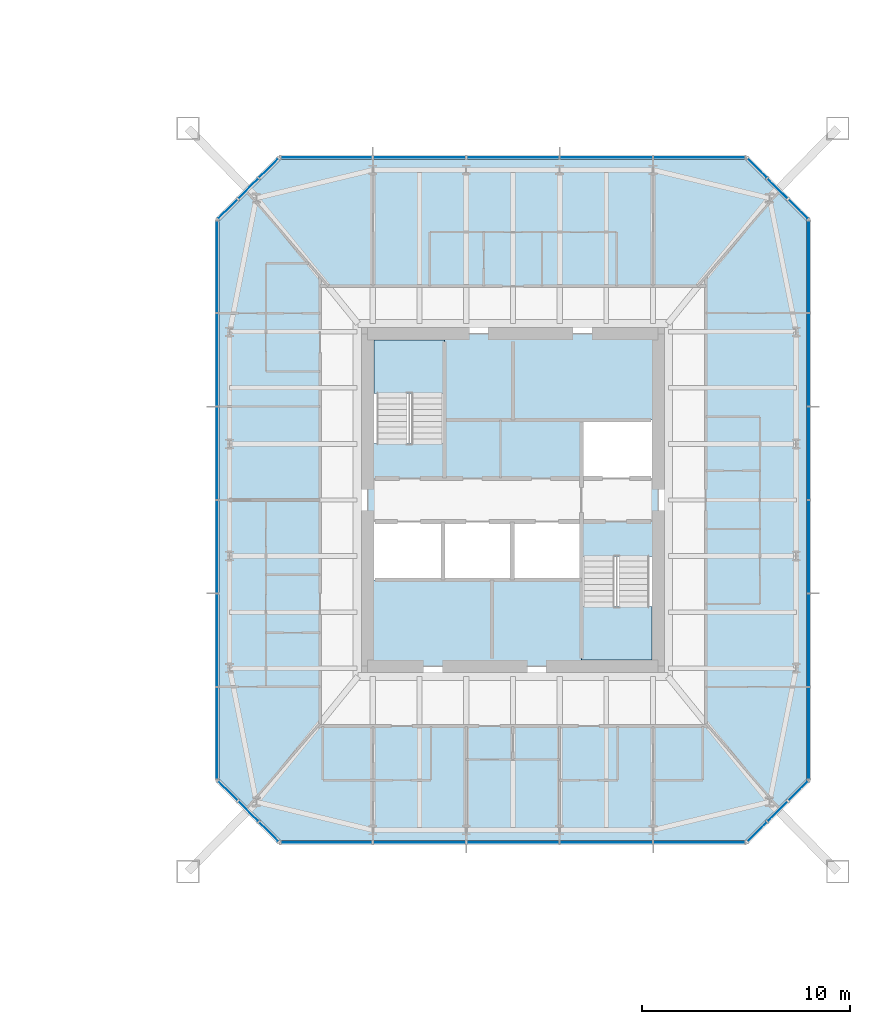
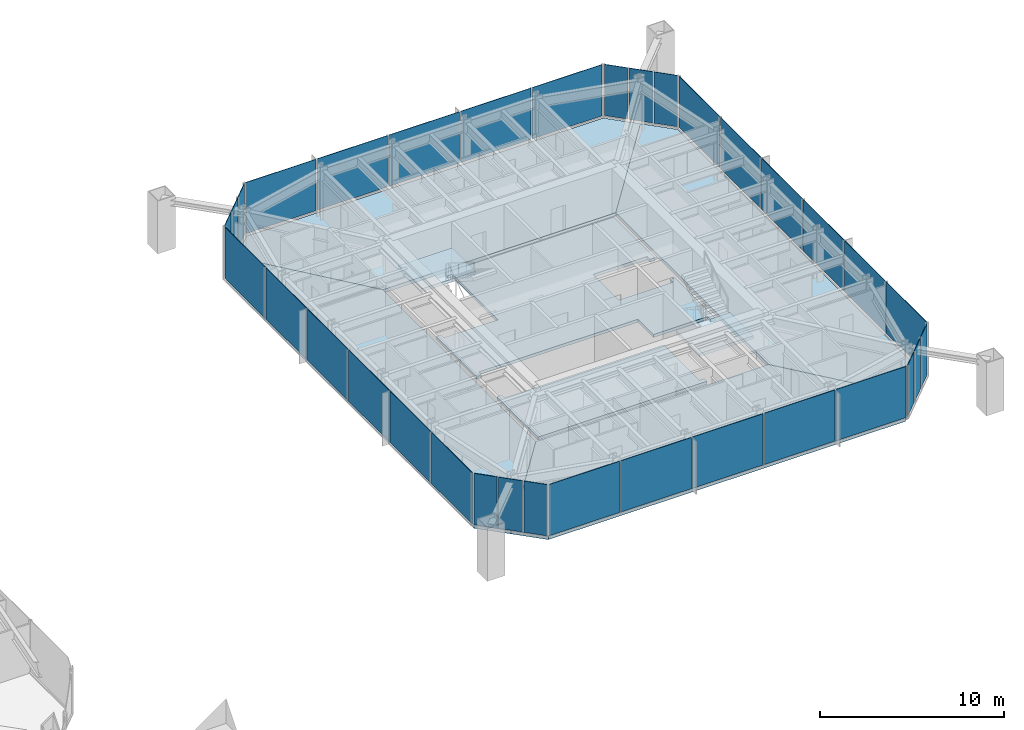
# One storey, part 12 of 25: 34 plates, 8 slabs, 10 elements without a shape of their own.
"""IFC4 building model written with IfcOpenShell, lengths in metres."""

from ifc_helpers import new_model, si_unit, direction, frame, origin, origin_2d, place, context, subcontext, project, spatial, polyline, rectangle, outline, extrude, material, layer, layer_set, constituent, constituent_set, type_object, element, aggregate, save


model = new_model("IFC4")

# Units and contexts
model_context = context("Model", 3, precision=1e-05, world=origin(), true_north=direction((0.0, 1.0)))
body_context = subcontext(model_context, "Body", "Model", "MODEL_VIEW")
ifc_project = project(units=[si_unit("LENGTHUNIT", "METRE"), si_unit("AREAUNIT", "SQUARE_METRE"), si_unit("VOLUMEUNIT", "CUBIC_METRE"), si_unit("PLANEANGLEUNIT", "RADIAN"), si_unit("MASSUNIT", "GRAM", prefix="KILO")], contexts=[model_context])

# Site, building, storey
site_placement = place(None, origin())
site = spatial("IfcSite", under=ifc_project, at=site_placement, CompositionType="ELEMENT")
building_placement = place(site_placement, origin())
building = spatial("IfcBuilding", under=site, at=building_placement, Name="Iwan Alto Co-Living Towers", CompositionType="ELEMENT")
storey_placement = place(building_placement, frame((0.0, 0.0, 84.0)))
storey = spatial("IfcBuildingStorey", under=building, at=storey_placement, Name="L22", CompositionType="ELEMENT", Elevation=84.0)

# Slabs
ifc_material_1 = material(Name="Concrete f'c 30 MPa", Category="concrete")
ifc_layer_1 = layer(ifc_material_1, 0.199951171875)
ifc_layer_set_1 = layer_set([ifc_layer_1], Name="CORE FLOOR SLAB 200")
slab_type_1 = type_object("IfcSlabType", Name="CORE FLOOR SLAB 200", PredefinedType="FLOOR", material=ifc_layer_set_1)
slab_1_placement = place(storey_placement, frame((0.0, 0.0, -0.199951171875)))
element("IfcSlab", 1, at=slab_1_placement, inside=storey, type_object=slab_type_1, Name="T2 core floor L22", PredefinedType="FLOOR", context=body_context, shape_type="SweptSolid", body=[
    extrude(outline(polyline([(70.0, -3.030029296875), (69.699951171875, -3.030029296875), (69.699951171875, -2.719970703125), (66.300048828125, -2.719970703125), (66.300048828125, -1.050048828125), (62.967041015625, -1.050048828125), (59.633056640625, -1.050048828125), (56.300048828125, -1.050048828125), (56.300048828125, -1.360107421875), (56.0, -1.360107421875), (56.0, 3.030029296875), (56.300048828125, 3.030029296875), (56.300048828125, 2.719970703125), (59.699951171875, 2.719970703125), (59.699951171875, 7.699951171875), (59.389892578125, 7.699951171875), (59.389892578125, 8.0), (70.0, 8.0), (70.0, 3.5400390625), (69.699951171875, 3.5400390625), (69.699951171875, 3.85009765625), (66.300048828125, 3.85009765625), (66.300048828125, 1.050048828125), (69.699951171875, 1.050048828125), (69.699951171875, 1.360107421875), (70.0, 1.360107421875), (70.0, -3.030029296875)])), origin(), (0.0, 0.0, 1.0), 0.199951171875),
])
slab_2_placement = place(storey_placement, frame((0.0, 0.0, -0.199951171875)))
element("IfcSlab", 2, at=slab_2_placement, inside=storey, type_object=slab_type_1, Name="T2 core floor L22", PredefinedType="FLOOR", context=body_context, shape_type="SweptSolid", body=[
    extrude(outline(polyline([(62.967041015625, -3.85009765625), (66.300048828125, -3.85009765625), (66.300048828125, -7.699951171875), (66.610107421875, -7.699951171875), (66.610107421875, -8.0), (56.0, -8.0), (56.0, -3.5400390625), (56.300048828125, -3.5400390625), (56.300048828125, -3.85009765625), (59.633056640625, -3.85009765625), (62.967041015625, -3.85009765625)])), origin(), (0.0, 0.0, 1.0), 0.199951171875),
])

# Curtain wall, plates
ifc_material_2 = material(Name="Bronze aluminium unitised frame", Category="aluminium")
curtain_wall_type_1 = type_object("IfcCurtainWallType", Name="CURTAIN WALL CW-C", PredefinedType="NOTDEFINED", material=ifc_material_2)
curtain_wall_1_placement = place(storey_placement, origin())
curtain_wall_1 = element("IfcCurtainWall", 3, at=curtain_wall_1_placement, inside=storey, type_object=curtain_wall_type_1, Name="T2 curtain wall S L22", PredefinedType="NOTDEFINED")
ifc_material_3 = material(Name="Bronze-tinted insulating glass", Category="glass")
ifc_layer_2 = layer(ifc_material_3, 0.031982421875)
ifc_layer_set_2 = layer_set([ifc_layer_2], Name="CW-C PANEL TINTED IGU 32")
plate_type_1 = type_object("IfcPlateType", Name="CW-C PANEL TINTED IGU 32", PredefinedType="CURTAIN_PANEL", material=ifc_layer_set_2)
plate_1_placement = place(storey_placement, frame((54.02001953125, -16.5, 0.10009765625), z_axis=(0.0, 0.0, 1.0), x_axis=(1.0, 0.0, 0.0)))
plate_1 = element("IfcPlate", 4, at=plate_1_placement, type_object=plate_type_1, Name="CW-C panel 1.1", PredefinedType="CURTAIN_PANEL", context=body_context, shape_type="SweptSolid", body=[
    extrude(rectangle(XDim=4.3798828125, YDim=0.031982421875, at=origin_2d()), origin(), (0.0, 0.0, 1.0), 3.39990234375),
])
plate_2_placement = place(storey_placement, frame((58.5, -16.5, 0.10009765625), z_axis=(0.0, 0.0, 1.0), x_axis=(1.0, 0.0, 0.0)))
plate_2 = element("IfcPlate", 5, at=plate_2_placement, type_object=plate_type_1, Name="CW-C panel 2.1", PredefinedType="CURTAIN_PANEL", context=body_context, shape_type="SweptSolid", body=[
    extrude(rectangle(XDim=4.419921875, YDim=0.031982421875, at=origin_2d()), origin(), (0.0, 0.0, 1.0), 3.39990234375),
])
plate_3_placement = place(storey_placement, frame((63.0, -16.5, 0.10009765625), z_axis=(0.0, 0.0, 1.0), x_axis=(1.0, 0.0, 0.0)))
plate_3 = element("IfcPlate", 6, at=plate_3_placement, type_object=plate_type_1, Name="CW-C panel 3.1", PredefinedType="CURTAIN_PANEL", context=body_context, shape_type="SweptSolid", body=[
    extrude(rectangle(XDim=4.419921875, YDim=0.031982421875, at=origin_2d()), origin(), (0.0, 0.0, 1.0), 3.39990234375),
])
plate_4_placement = place(storey_placement, frame((67.5, -16.5, 0.10009765625), z_axis=(0.0, 0.0, 1.0), x_axis=(1.0, 0.0, 0.0)))
plate_4 = element("IfcPlate", 7, at=plate_4_placement, type_object=plate_type_1, Name="CW-C panel 4.1", PredefinedType="CURTAIN_PANEL", context=body_context, shape_type="SweptSolid", body=[
    extrude(rectangle(XDim=4.419921875, YDim=0.031982421875, at=origin_2d()), origin(), (0.0, 0.0, 1.0), 3.39990234375),
])
plate_5_placement = place(storey_placement, frame((71.97998046875, -16.5, 0.10009765625), z_axis=(0.0, 0.0, 1.0), x_axis=(1.0, 0.0, 0.0)))
plate_5 = element("IfcPlate", 8, at=plate_5_placement, type_object=plate_type_1, Name="CW-C panel 5.1", PredefinedType="CURTAIN_PANEL", context=body_context, shape_type="SweptSolid", body=[
    extrude(rectangle(XDim=4.3798828125, YDim=0.031982421875, at=origin_2d()), origin(), (0.0, 0.0, 1.0), 3.39990234375),
])
aggregate(curtain_wall_1, [plate_1, plate_2, plate_3, plate_4, plate_5])

curtain_wall_2_placement = place(storey_placement, origin())
curtain_wall_2 = element("IfcCurtainWall", 9, at=curtain_wall_2_placement, inside=storey, type_object=curtain_wall_type_1, Name="T2 curtain wall E L22", PredefinedType="NOTDEFINED")
plate_6_placement = place(storey_placement, frame((77.25, -11.22998046875, 0.10009765625), z_axis=(0.0, 0.0, 1.0), x_axis=(0.0, 1.0, 0.0)))
plate_6 = element("IfcPlate", 10, at=plate_6_placement, type_object=plate_type_1, Name="CW-C panel 1.1", PredefinedType="CURTAIN_PANEL", context=body_context, shape_type="SweptSolid", body=[
    extrude(rectangle(XDim=4.3798828125, YDim=0.031982421875, at=origin_2d()), origin(), (0.0, 0.0, 1.0), 3.39990234375),
])
plate_7_placement = place(storey_placement, frame((77.25, -6.75, 0.10009765625), z_axis=(0.0, 0.0, 1.0), x_axis=(0.0, 1.0, 0.0)))
plate_7 = element("IfcPlate", 11, at=plate_7_placement, type_object=plate_type_1, Name="CW-C panel 2.1", PredefinedType="CURTAIN_PANEL", context=body_context, shape_type="SweptSolid", body=[
    extrude(rectangle(XDim=4.419921875, YDim=0.031982421875, at=origin_2d()), origin(), (0.0, 0.0, 1.0), 3.39990234375),
])
plate_8_placement = place(storey_placement, frame((77.25, -2.25, 0.10009765625), z_axis=(0.0, 0.0, 1.0), x_axis=(0.0, 1.0, 0.0)))
plate_8 = element("IfcPlate", 12, at=plate_8_placement, type_object=plate_type_1, Name="CW-C panel 3.1", PredefinedType="CURTAIN_PANEL", context=body_context, shape_type="SweptSolid", body=[
    extrude(rectangle(XDim=4.419921875, YDim=0.031982421875, at=origin_2d()), origin(), (0.0, 0.0, 1.0), 3.39990234375),
])
plate_9_placement = place(storey_placement, frame((77.25, 2.25, 0.10009765625), z_axis=(0.0, 0.0, 1.0), x_axis=(0.0, 1.0, 0.0)))
plate_9 = element("IfcPlate", 13, at=plate_9_placement, type_object=plate_type_1, Name="CW-C panel 4.1", PredefinedType="CURTAIN_PANEL", context=body_context, shape_type="SweptSolid", body=[
    extrude(rectangle(XDim=4.419921875, YDim=0.031982421875, at=origin_2d()), origin(), (0.0, 0.0, 1.0), 3.39990234375),
])
plate_10_placement = place(storey_placement, frame((77.25, 6.75, 0.10009765625), z_axis=(0.0, 0.0, 1.0), x_axis=(0.0, 1.0, 0.0)))
plate_10 = element("IfcPlate", 14, at=plate_10_placement, type_object=plate_type_1, Name="CW-C panel 5.1", PredefinedType="CURTAIN_PANEL", context=body_context, shape_type="SweptSolid", body=[
    extrude(rectangle(XDim=4.419921875, YDim=0.031982421875, at=origin_2d()), origin(), (0.0, 0.0, 1.0), 3.39990234375),
])
plate_11_placement = place(storey_placement, frame((77.25, 11.22998046875, 0.10009765625), z_axis=(0.0, 0.0, 1.0), x_axis=(0.0, 1.0, 0.0)))
plate_11 = element("IfcPlate", 15, at=plate_11_placement, type_object=plate_type_1, Name="CW-C panel 6.1", PredefinedType="CURTAIN_PANEL", context=body_context, shape_type="SweptSolid", body=[
    extrude(rectangle(XDim=4.3798828125, YDim=0.031982421875, at=origin_2d()), origin(), (0.0, 0.0, 1.0), 3.39990234375),
])
aggregate(curtain_wall_2, [plate_6, plate_7, plate_8, plate_9, plate_10, plate_11])

curtain_wall_3_placement = place(storey_placement, origin())
curtain_wall_3 = element("IfcCurtainWall", 16, at=curtain_wall_3_placement, inside=storey, type_object=curtain_wall_type_1, Name="T2 curtain wall N L22", PredefinedType="NOTDEFINED")
plate_12_placement = place(storey_placement, frame((71.97998046875, 16.5, 0.10009765625), z_axis=(0.0, 0.0, 1.0), x_axis=(-1.0, 0.0, 0.0)))
plate_12 = element("IfcPlate", 17, at=plate_12_placement, type_object=plate_type_1, Name="CW-C panel 1.1", PredefinedType="CURTAIN_PANEL", context=body_context, shape_type="SweptSolid", body=[
    extrude(rectangle(XDim=4.3798828125, YDim=0.031982421875, at=origin_2d()), origin(), (0.0, 0.0, 1.0), 3.39990234375),
])
plate_13_placement = place(storey_placement, frame((67.5, 16.5, 0.10009765625), z_axis=(0.0, 0.0, 1.0), x_axis=(-1.0, 0.0, 0.0)))
plate_13 = element("IfcPlate", 18, at=plate_13_placement, type_object=plate_type_1, Name="CW-C panel 2.1", PredefinedType="CURTAIN_PANEL", context=body_context, shape_type="SweptSolid", body=[
    extrude(rectangle(XDim=4.419921875, YDim=0.031982421875, at=origin_2d()), origin(), (0.0, 0.0, 1.0), 3.39990234375),
])
plate_14_placement = place(storey_placement, frame((63.0, 16.5, 0.10009765625), z_axis=(0.0, 0.0, 1.0), x_axis=(-1.0, 0.0, 0.0)))
plate_14 = element("IfcPlate", 19, at=plate_14_placement, type_object=plate_type_1, Name="CW-C panel 3.1", PredefinedType="CURTAIN_PANEL", context=body_context, shape_type="SweptSolid", body=[
    extrude(rectangle(XDim=4.419921875, YDim=0.031982421875, at=origin_2d()), origin(), (0.0, 0.0, 1.0), 3.39990234375),
])
plate_15_placement = place(storey_placement, frame((58.5, 16.5, 0.10009765625), z_axis=(0.0, 0.0, 1.0), x_axis=(-1.0, 0.0, 0.0)))
plate_15 = element("IfcPlate", 20, at=plate_15_placement, type_object=plate_type_1, Name="CW-C panel 4.1", PredefinedType="CURTAIN_PANEL", context=body_context, shape_type="SweptSolid", body=[
    extrude(rectangle(XDim=4.419921875, YDim=0.031982421875, at=origin_2d()), origin(), (0.0, 0.0, 1.0), 3.39990234375),
])
plate_16_placement = place(storey_placement, frame((54.02001953125, 16.5, 0.10009765625), z_axis=(0.0, 0.0, 1.0), x_axis=(-1.0, 0.0, 0.0)))
plate_16 = element("IfcPlate", 21, at=plate_16_placement, type_object=plate_type_1, Name="CW-C panel 5.1", PredefinedType="CURTAIN_PANEL", context=body_context, shape_type="SweptSolid", body=[
    extrude(rectangle(XDim=4.3798828125, YDim=0.031982421875, at=origin_2d()), origin(), (0.0, 0.0, 1.0), 3.39990234375),
])
aggregate(curtain_wall_3, [plate_12, plate_13, plate_14, plate_15, plate_16])

curtain_wall_4_placement = place(storey_placement, origin())
curtain_wall_4 = element("IfcCurtainWall", 22, at=curtain_wall_4_placement, inside=storey, type_object=curtain_wall_type_1, Name="T2 curtain wall W L22", PredefinedType="NOTDEFINED")
plate_17_placement = place(storey_placement, frame((48.75, 11.22998046875, 0.10009765625), z_axis=(0.0, 0.0, 1.0), x_axis=(0.0, -1.0, 0.0)))
plate_17 = element("IfcPlate", 23, at=plate_17_placement, type_object=plate_type_1, Name="CW-C panel 1.1", PredefinedType="CURTAIN_PANEL", context=body_context, shape_type="SweptSolid", body=[
    extrude(rectangle(XDim=4.3798828125, YDim=0.031982421875, at=origin_2d()), origin(), (0.0, 0.0, 1.0), 3.39990234375),
])
plate_18_placement = place(storey_placement, frame((48.75, 6.75, 0.10009765625), z_axis=(0.0, 0.0, 1.0), x_axis=(0.0, -1.0, 0.0)))
plate_18 = element("IfcPlate", 24, at=plate_18_placement, type_object=plate_type_1, Name="CW-C panel 2.1", PredefinedType="CURTAIN_PANEL", context=body_context, shape_type="SweptSolid", body=[
    extrude(rectangle(XDim=4.419921875, YDim=0.031982421875, at=origin_2d()), origin(), (0.0, 0.0, 1.0), 3.39990234375),
])
plate_19_placement = place(storey_placement, frame((48.75, 2.25, 0.10009765625), z_axis=(0.0, 0.0, 1.0), x_axis=(0.0, -1.0, 0.0)))
plate_19 = element("IfcPlate", 25, at=plate_19_placement, type_object=plate_type_1, Name="CW-C panel 3.1", PredefinedType="CURTAIN_PANEL", context=body_context, shape_type="SweptSolid", body=[
    extrude(rectangle(XDim=4.419921875, YDim=0.031982421875, at=origin_2d()), origin(), (0.0, 0.0, 1.0), 3.39990234375),
])
plate_20_placement = place(storey_placement, frame((48.75, -2.25, 0.10009765625), z_axis=(0.0, 0.0, 1.0), x_axis=(0.0, -1.0, 0.0)))
plate_20 = element("IfcPlate", 26, at=plate_20_placement, type_object=plate_type_1, Name="CW-C panel 4.1", PredefinedType="CURTAIN_PANEL", context=body_context, shape_type="SweptSolid", body=[
    extrude(rectangle(XDim=4.419921875, YDim=0.031982421875, at=origin_2d()), origin(), (0.0, 0.0, 1.0), 3.39990234375),
])
plate_21_placement = place(storey_placement, frame((48.75, -6.75, 0.10009765625), z_axis=(0.0, 0.0, 1.0), x_axis=(0.0, -1.0, 0.0)))
plate_21 = element("IfcPlate", 27, at=plate_21_placement, type_object=plate_type_1, Name="CW-C panel 5.1", PredefinedType="CURTAIN_PANEL", context=body_context, shape_type="SweptSolid", body=[
    extrude(rectangle(XDim=4.419921875, YDim=0.031982421875, at=origin_2d()), origin(), (0.0, 0.0, 1.0), 3.39990234375),
])
plate_22_placement = place(storey_placement, frame((48.75, -11.22998046875, 0.10009765625), z_axis=(0.0, 0.0, 1.0), x_axis=(0.0, -1.0, 0.0)))
plate_22 = element("IfcPlate", 28, at=plate_22_placement, type_object=plate_type_1, Name="CW-C panel 6.1", PredefinedType="CURTAIN_PANEL", context=body_context, shape_type="SweptSolid", body=[
    extrude(rectangle(XDim=4.3798828125, YDim=0.031982421875, at=origin_2d()), origin(), (0.0, 0.0, 1.0), 3.39990234375),
])
aggregate(curtain_wall_4, [plate_17, plate_18, plate_19, plate_20, plate_21, plate_22])

ifc_material_4 = material(Name="Bronze aluminium unitised frame", Category="aluminium")
curtain_wall_type_2 = type_object("IfcCurtainWallType", Name="CURTAIN WALL CW-D", PredefinedType="NOTDEFINED", material=ifc_material_4)
curtain_wall_5_placement = place(storey_placement, origin())
curtain_wall_5 = element("IfcCurtainWall", 29, at=curtain_wall_5_placement, inside=storey, type_object=curtain_wall_type_2, Name="T2 chamfer curtain wall SE L22", PredefinedType="NOTDEFINED")
ifc_material_5 = material(Name="Bronze-tinted insulating glass", Category="glass")
ifc_layer_3 = layer(ifc_material_5, 0.031982421875)
ifc_layer_set_3 = layer_set([ifc_layer_3], Name="CW-D PANEL TINTED IGU 32")
plate_type_2 = type_object("IfcPlateType", Name="CW-D PANEL TINTED IGU 32", PredefinedType="CURTAIN_PANEL", material=ifc_layer_set_3)
plate_23_placement = place(storey_placement, frame((74.76416015625, -15.98583984375, 0.10009765625), z_axis=(0.0, 0.0, 1.0), x_axis=(0.707106781187, 0.707106781187, 0.0)))
plate_23 = element("IfcPlate", 30, at=plate_23_placement, type_object=plate_type_2, Name="CW-D panel 1.1", PredefinedType="CURTAIN_PANEL", context=body_context, shape_type="SweptSolid", body=[
    extrude(rectangle(XDim=1.294189453125, YDim=0.031982421875, at=origin_2d()), origin(), (0.0, 0.0, 1.0), 3.39990234375),
])
plate_24_placement = place(storey_placement, frame((75.75, -15.0, 0.10009765625), z_axis=(0.0, 0.0, 1.0), x_axis=(0.707106781187, 0.707106781187, 0.0)))
plate_24 = element("IfcPlate", 31, at=plate_24_placement, type_object=plate_type_2, Name="CW-D panel 2.1", PredefinedType="CURTAIN_PANEL", context=body_context, shape_type="SweptSolid", body=[
    extrude(rectangle(XDim=1.334228515625, YDim=0.031982421875, at=origin_2d()), origin(), (0.0, 0.0, 1.0), 3.39990234375),
])
plate_25_placement = place(storey_placement, frame((76.73583984375, -14.01416015625, 0.10009765625), z_axis=(0.0, 0.0, 1.0), x_axis=(0.707106781187, 0.707106781187, 0.0)))
plate_25 = element("IfcPlate", 32, at=plate_25_placement, type_object=plate_type_2, Name="CW-D panel 3.1", PredefinedType="CURTAIN_PANEL", context=body_context, shape_type="SweptSolid", body=[
    extrude(rectangle(XDim=1.294189453125, YDim=0.031982421875, at=origin_2d()), origin(), (0.0, 0.0, 1.0), 3.39990234375),
])
aggregate(curtain_wall_5, [plate_23, plate_24, plate_25])

curtain_wall_6_placement = place(storey_placement, origin())
curtain_wall_6 = element("IfcCurtainWall", 33, at=curtain_wall_6_placement, inside=storey, type_object=curtain_wall_type_2, Name="T2 chamfer curtain wall NE L22", PredefinedType="NOTDEFINED")
plate_26_placement = place(storey_placement, frame((76.73583984375, 14.01416015625, 0.10009765625), z_axis=(0.0, 0.0, 1.0), x_axis=(-0.707106781187, 0.707106781187, 0.0)))
plate_26 = element("IfcPlate", 34, at=plate_26_placement, type_object=plate_type_2, Name="CW-D panel 1.1", PredefinedType="CURTAIN_PANEL", context=body_context, shape_type="SweptSolid", body=[
    extrude(rectangle(XDim=1.294189453125, YDim=0.031982421875, at=origin_2d()), origin(), (0.0, 0.0, 1.0), 3.39990234375),
])
plate_27_placement = place(storey_placement, frame((75.75, 15.0, 0.10009765625), z_axis=(0.0, 0.0, 1.0), x_axis=(-0.707106781187, 0.707106781187, 0.0)))
plate_27 = element("IfcPlate", 35, at=plate_27_placement, type_object=plate_type_2, Name="CW-D panel 2.1", PredefinedType="CURTAIN_PANEL", context=body_context, shape_type="SweptSolid", body=[
    extrude(rectangle(XDim=1.334228515625, YDim=0.031982421875, at=origin_2d()), origin(), (0.0, 0.0, 1.0), 3.39990234375),
])
plate_28_placement = place(storey_placement, frame((74.76416015625, 15.98583984375, 0.10009765625), z_axis=(0.0, 0.0, 1.0), x_axis=(-0.707106781187, 0.707106781187, 0.0)))
plate_28 = element("IfcPlate", 36, at=plate_28_placement, type_object=plate_type_2, Name="CW-D panel 3.1", PredefinedType="CURTAIN_PANEL", context=body_context, shape_type="SweptSolid", body=[
    extrude(rectangle(XDim=1.294189453125, YDim=0.031982421875, at=origin_2d()), origin(), (0.0, 0.0, 1.0), 3.39990234375),
])
aggregate(curtain_wall_6, [plate_26, plate_27, plate_28])

curtain_wall_7_placement = place(storey_placement, origin())
curtain_wall_7 = element("IfcCurtainWall", 37, at=curtain_wall_7_placement, inside=storey, type_object=curtain_wall_type_2, Name="T2 chamfer curtain wall NW L22", PredefinedType="NOTDEFINED")
plate_29_placement = place(storey_placement, frame((51.23583984375, 15.98583984375, 0.10009765625), z_axis=(0.0, 0.0, 1.0), x_axis=(-0.707106781187, -0.707106781187, 0.0)))
plate_29 = element("IfcPlate", 38, at=plate_29_placement, type_object=plate_type_2, Name="CW-D panel 1.1", PredefinedType="CURTAIN_PANEL", context=body_context, shape_type="SweptSolid", body=[
    extrude(rectangle(XDim=1.294189453125, YDim=0.031982421875, at=origin_2d()), origin(), (0.0, 0.0, 1.0), 3.39990234375),
])
plate_30_placement = place(storey_placement, frame((50.25, 15.0, 0.10009765625), z_axis=(0.0, 0.0, 1.0), x_axis=(-0.707106781187, -0.707106781187, 0.0)))
plate_30 = element("IfcPlate", 39, at=plate_30_placement, type_object=plate_type_2, Name="CW-D panel 2.1", PredefinedType="CURTAIN_PANEL", context=body_context, shape_type="SweptSolid", body=[
    extrude(rectangle(XDim=1.334228515625, YDim=0.031982421875, at=origin_2d()), origin(), (0.0, 0.0, 1.0), 3.39990234375),
])
plate_31_placement = place(storey_placement, frame((49.26416015625, 14.01416015625, 0.10009765625), z_axis=(0.0, 0.0, 1.0), x_axis=(-0.707106781187, -0.707106781187, 0.0)))
plate_31 = element("IfcPlate", 40, at=plate_31_placement, type_object=plate_type_2, Name="CW-D panel 3.1", PredefinedType="CURTAIN_PANEL", context=body_context, shape_type="SweptSolid", body=[
    extrude(rectangle(XDim=1.294189453125, YDim=0.031982421875, at=origin_2d()), origin(), (0.0, 0.0, 1.0), 3.39990234375),
])
aggregate(curtain_wall_7, [plate_29, plate_30, plate_31])

curtain_wall_8_placement = place(storey_placement, origin())
curtain_wall_8 = element("IfcCurtainWall", 41, at=curtain_wall_8_placement, inside=storey, type_object=curtain_wall_type_2, Name="T2 chamfer curtain wall SW L22", PredefinedType="NOTDEFINED")
plate_32_placement = place(storey_placement, frame((49.26416015625, -14.01416015625, 0.10009765625), z_axis=(0.0, 0.0, 1.0), x_axis=(0.707106781187, -0.707106781187, 0.0)))
plate_32 = element("IfcPlate", 42, at=plate_32_placement, type_object=plate_type_2, Name="CW-D panel 1.1", PredefinedType="CURTAIN_PANEL", context=body_context, shape_type="SweptSolid", body=[
    extrude(rectangle(XDim=1.294189453125, YDim=0.031982421875, at=origin_2d()), origin(), (0.0, 0.0, 1.0), 3.39990234375),
])
plate_33_placement = place(storey_placement, frame((50.25, -15.0, 0.10009765625), z_axis=(0.0, 0.0, 1.0), x_axis=(0.707106781187, -0.707106781187, 0.0)))
plate_33 = element("IfcPlate", 43, at=plate_33_placement, type_object=plate_type_2, Name="CW-D panel 2.1", PredefinedType="CURTAIN_PANEL", context=body_context, shape_type="SweptSolid", body=[
    extrude(rectangle(XDim=1.334228515625, YDim=0.031982421875, at=origin_2d()), origin(), (0.0, 0.0, 1.0), 3.39990234375),
])
plate_34_placement = place(storey_placement, frame((51.23583984375, -15.98583984375, 0.10009765625), z_axis=(0.0, 0.0, 1.0), x_axis=(0.707106781187, -0.707106781187, 0.0)))
plate_34 = element("IfcPlate", 44, at=plate_34_placement, type_object=plate_type_2, Name="CW-D panel 3.1", PredefinedType="CURTAIN_PANEL", context=body_context, shape_type="SweptSolid", body=[
    extrude(rectangle(XDim=1.294189453125, YDim=0.031982421875, at=origin_2d()), origin(), (0.0, 0.0, 1.0), 3.39990234375),
])
aggregate(curtain_wall_8, [plate_32, plate_33, plate_34])

# Stair, slab
ifc_material_6 = material(Name="Steel ASTM A36", Category="steel")
ifc_constituent_1 = constituent(ifc_material_6, Name="Stringers", Category="LoadBearing")
ifc_material_7 = material(Name="Concrete f'c 30 MPa", Category="concrete")
ifc_constituent_2 = constituent(ifc_material_7, Name="Tread fill", Category="Finish")
ifc_constituent_set = constituent_set(constituents=[ifc_constituent_1, ifc_constituent_2], Name="STAIR 3500 TWO-FLIGHT T2 CORE")
stair_type = type_object("IfcStairType", Name="STAIR 3500 TWO-FLIGHT T2 CORE", PredefinedType="HALF_TURN_STAIR", material=ifc_constituent_set)
stair_1_placement = place(storey_placement, origin())
stair_1 = element("IfcStair", 45, at=stair_1_placement, inside=storey, type_object=stair_type, Name="Stair T2-S1 L22 to L23", PredefinedType="HALF_TURN_STAIR")
ifc_material_8 = material(Name="Concrete f'c 30 MPa", Category="concrete")
ifc_layer_4 = layer(ifc_material_8, 0.199951171875)
ifc_layer_set_4 = layer_set([ifc_layer_4], Name="STAIR LANDING 200")
slab_type_2 = type_object("IfcSlabType", Name="STAIR LANDING 200", PredefinedType="LANDING", material=ifc_layer_set_4)
slab_3_placement = place(storey_placement, frame((0.0, 0.0, 1.550048828125)))
slab_3 = element("IfcSlab", 46, at=slab_3_placement, type_object=slab_type_2, Name="T2-S1 landing 1", PredefinedType="LANDING", context=body_context, shape_type="SweptSolid", body=[
    extrude(outline(polyline([(56.300048828125, 5.139892578125), (56.300048828125, 7.699951171875), (59.699951171875, 7.699951171875), (59.699951171875, 5.139892578125), (56.300048828125, 5.139892578125)])), origin(), (0.0, 0.0, 1.0), 0.199951171875),
])
aggregate(stair_1, [slab_3])

stair_2_placement = place(storey_placement, origin())
stair_2 = element("IfcStair", 47, at=stair_2_placement, inside=storey, type_object=stair_type, Name="Stair T2-S2 L22 to L23", PredefinedType="HALF_TURN_STAIR")
slab_4_placement = place(storey_placement, frame((0.0, 0.0, 1.550048828125)))
slab_4 = element("IfcSlab", 48, at=slab_4_placement, type_object=slab_type_2, Name="T2-S2 landing 1", PredefinedType="LANDING", context=body_context, shape_type="SweptSolid", body=[
    extrude(outline(polyline([(66.300048828125, -5.139892578125), (66.300048828125, -7.699951171875), (69.699951171875, -7.699951171875), (69.699951171875, -5.139892578125), (66.300048828125, -5.139892578125)])), origin(), (0.0, 0.0, 1.0), 0.199951171875),
])
aggregate(stair_2, [slab_4])

# Slabs
ifc_material_9 = material(Name="Concrete f'c 30 MPa", Category="concrete")
ifc_layer_5 = layer(ifc_material_9, 0.22998046875)
ifc_layer_set_5 = layer_set([ifc_layer_5], Name="T2 FLOOR SLAB 230")
slab_type_3 = type_object("IfcSlabType", Name="T2 FLOOR SLAB 230", PredefinedType="FLOOR", material=ifc_layer_set_5)
slab_5_placement = place(storey_placement, frame((0.0, 0.0, -0.22998046875)))
element("IfcSlab", 49, at=slab_5_placement, inside=storey, type_object=slab_type_3, Name="T2 floor slab L22 S pour", PredefinedType="FLOOR", context=body_context, shape_type="SweptSolid", body=[
    extrude(outline(polyline([(74.19140625, -16.39990234375), (51.80859375, -16.39990234375), (50.330810546875, -14.92236328125), (55.699951171875, -8.300048828125), (70.300048828125, -8.300048828125), (75.669189453125, -14.92236328125), (74.19140625, -16.39990234375)])), origin(), (0.0, 0.0, 1.0), 0.22998046875),
])
slab_6_placement = place(storey_placement, frame((0.0, 0.0, -0.22998046875)))
element("IfcSlab", 50, at=slab_6_placement, inside=storey, type_object=slab_type_3, Name="T2 floor slab L22 E pour", PredefinedType="FLOOR", context=body_context, shape_type="SweptSolid", body=[
    extrude(outline(polyline([(77.14990234375, 13.44140625), (77.14990234375, -13.44140625), (75.669189453125, -14.92236328125), (70.300048828125, -8.300048828125), (70.300048828125, 8.300048828125), (75.669189453125, 14.92236328125), (77.14990234375, 13.44140625)])), origin(), (0.0, 0.0, 1.0), 0.22998046875),
])
slab_7_placement = place(storey_placement, frame((0.0, 0.0, -0.22998046875)))
element("IfcSlab", 51, at=slab_7_placement, inside=storey, type_object=slab_type_3, Name="T2 floor slab L22 N pour", PredefinedType="FLOOR", context=body_context, shape_type="SweptSolid", body=[
    extrude(outline(polyline([(51.80859375, 16.39990234375), (74.19140625, 16.39990234375), (75.669189453125, 14.92236328125), (70.300048828125, 8.300048828125), (55.699951171875, 8.300048828125), (50.330810546875, 14.92236328125), (51.80859375, 16.39990234375)])), origin(), (0.0, 0.0, 1.0), 0.22998046875),
])
slab_8_placement = place(storey_placement, frame((0.0, 0.0, -0.22998046875)))
element("IfcSlab", 52, at=slab_8_placement, inside=storey, type_object=slab_type_3, Name="T2 floor slab L22 W pour", PredefinedType="FLOOR", context=body_context, shape_type="SweptSolid", body=[
    extrude(outline(polyline([(48.85009765625, 13.44140625), (50.330810546875, 14.92236328125), (55.699951171875, 8.300048828125), (55.699951171875, -8.300048828125), (50.330810546875, -14.92236328125), (48.85009765625, -13.44140625), (48.85009765625, 13.44140625)])), origin(), (0.0, 0.0, 1.0), 0.22998046875),
])

save(model, "model.ifc")
